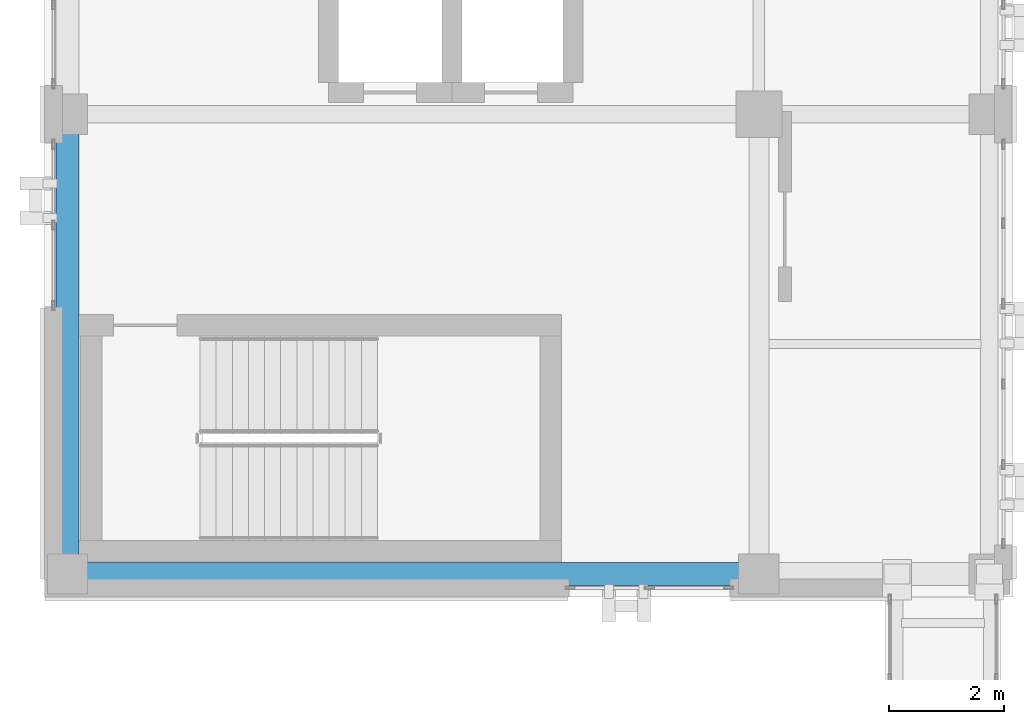
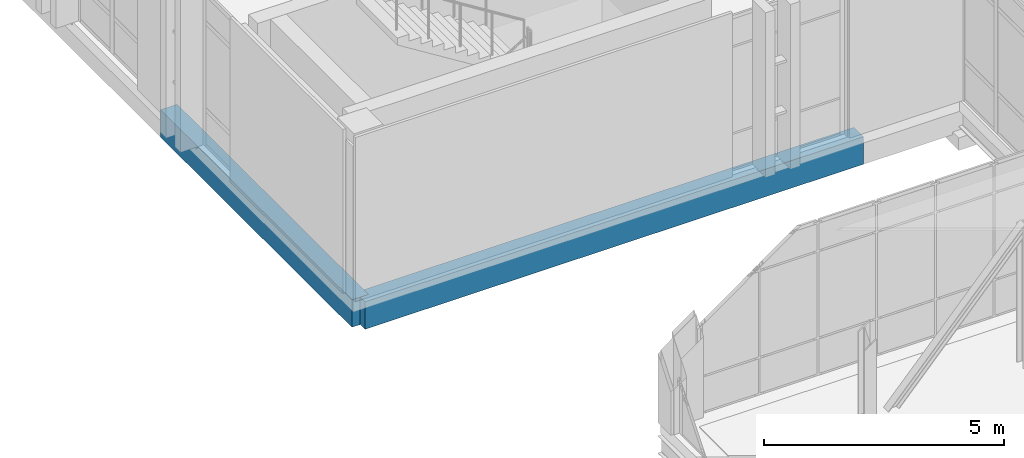
# One storey, part 19 of 193: 2 beams.
"""IFC4 building model written with IfcOpenShell, lengths in metres."""

from ifc_helpers import new_model, si_unit, direction, frame, origin, origin_2d, place, context, subcontext, project, spatial, rectangle, extrude, material, material_profile, profile_set, type_object, element, save


model = new_model("IFC4")

# Units and contexts
model_context = context("Model", 3, precision=1e-05, world=origin(), true_north=direction((0.0, 1.0)))
body_context = subcontext(model_context, "Body", "Model", "MODEL_VIEW")
ifc_project = project(units=[si_unit("LENGTHUNIT", "METRE"), si_unit("AREAUNIT", "SQUARE_METRE"), si_unit("VOLUMEUNIT", "CUBIC_METRE"), si_unit("PLANEANGLEUNIT", "RADIAN"), si_unit("MASSUNIT", "GRAM", prefix="KILO")], contexts=[model_context])

# Site, building, storey
site_placement = place(None, origin())
site = spatial("IfcSite", under=ifc_project, at=site_placement, CompositionType="ELEMENT")
building_placement = place(site_placement, origin())
building = spatial("IfcBuilding", under=site, at=building_placement, Name="Qalavern Law Courts", CompositionType="ELEMENT")
storey_placement = place(building_placement, frame((0.0, 0.0, 10.199951171875)))
storey = spatial("IfcBuildingStorey", under=building, at=storey_placement, Name="L02", CompositionType="ELEMENT", Elevation=10.199951171875)

# Beams
ifc_material = material(Name="Concrete C40/50", Category="concrete")
ifc_material_profile = material_profile(ifc_material, rectangle(XDim=0.39990234375, YDim=0.699951171875, at=origin_2d()), Name="RC 400x700")
ifc_profile_set = profile_set([ifc_material_profile], Name="Concrete C40/50")
beam_type = type_object("IfcBeamType", Name="STR-SP-RC400x700", PredefinedType="SPANDREL", material=ifc_profile_set)
beam_1_placement = place(storey_placement, frame((2.39990234375, 41.419921875, -0.639892578125), z_axis=(1.0, 0.0, 0.0), x_axis=(0.0, 1.0, 0.0)))
element("IfcBeam", 1, at=beam_1_placement, inside=storey, type_object=beam_type, Name="V3 X-beam 1-1 L02", PredefinedType="SPANDREL", context=body_context, shape_type="SweptSolid", body=[
    extrude(rectangle(XDim=0.39990234375, YDim=0.699951171875, at=origin_2d()), origin(), (0.0, 0.0, 1.0), 12.0),
])
beam_2_placement = place(storey_placement, frame((2.39990234375, 41.419921875, -0.639892578125), z_axis=(0.0, 1.0, 0.0), x_axis=(-1.0, 0.0, 0.0)))
element("IfcBeam", 2, at=beam_2_placement, inside=storey, type_object=beam_type, Name="V3 Y-beam 1-1 L02", PredefinedType="SPANDREL", context=body_context, shape_type="SweptSolid", body=[
    extrude(rectangle(XDim=0.39990234375, YDim=0.699951171875, at=origin_2d()), origin(), (0.0, 0.0, 1.0), 7.97998046875),
])

save(model, "model.ifc")
